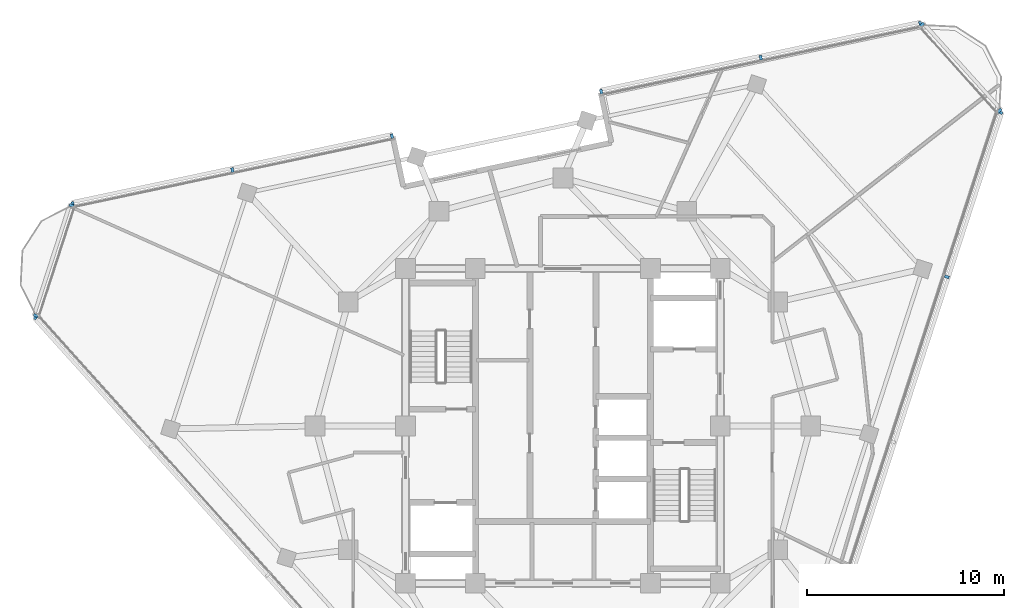
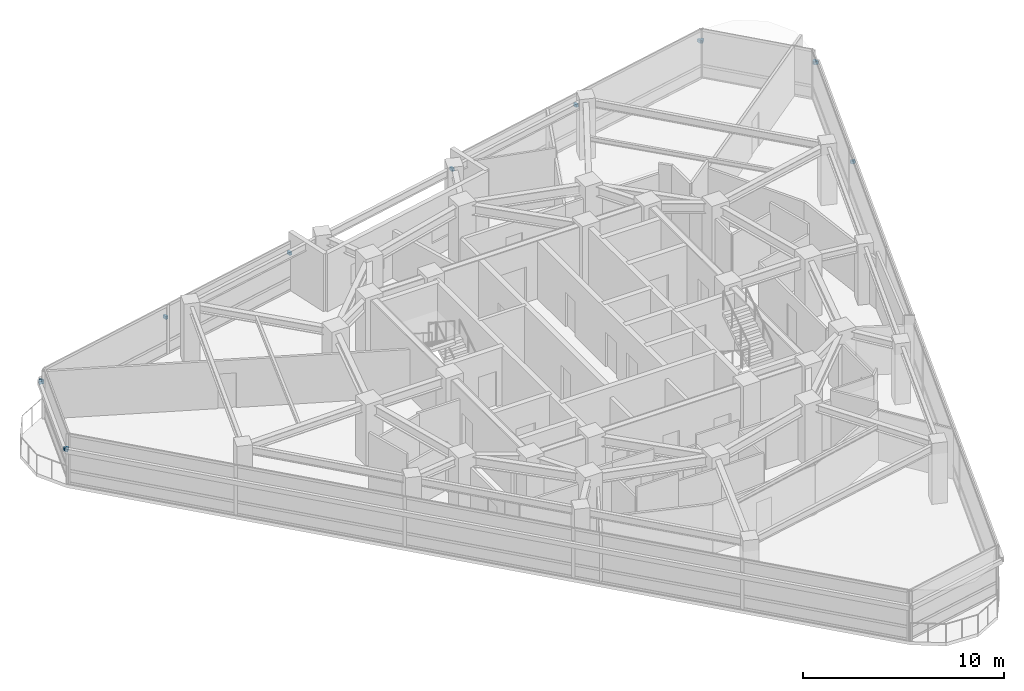
# One storey, part 11 of 15: 13 discrete accessories.
"""IFC4 building model written with IfcOpenShell, lengths in metres."""

from ifc_helpers import new_model, si_unit, direction, frame, origin, origin_2d, place, context, subcontext, project, spatial, rectangle, extrude, material, type_object, element, save


model = new_model("IFC4")

# Units and contexts
model_context = context("Model", 3, precision=1e-05, world=origin(), true_north=direction((0.0, 1.0)))
body_context = subcontext(model_context, "Body", "Model", "MODEL_VIEW")
ifc_project = project(units=[si_unit("LENGTHUNIT", "METRE"), si_unit("AREAUNIT", "SQUARE_METRE"), si_unit("VOLUMEUNIT", "CUBIC_METRE"), si_unit("PLANEANGLEUNIT", "RADIAN"), si_unit("MASSUNIT", "GRAM", prefix="KILO")], contexts=[model_context])

# Site, building, storey
site_placement = place(None, origin())
site = spatial("IfcSite", under=ifc_project, at=site_placement, CompositionType="ELEMENT")
building_placement = place(site_placement, origin())
building = spatial("IfcBuilding", under=site, at=building_placement, Name="Terralouvre Media Tower", CompositionType="ELEMENT")
storey_placement = place(building_placement, frame((0.0, 0.0, 298.0)))
storey = spatial("IfcBuildingStorey", under=building, at=storey_placement, Name="L77", CompositionType="ELEMENT", Elevation=298.0)

# Discrete accessories
ifc_material = material(Name="Anodised extruded aluminium 6063-T6", Category="aluminium")
discrete_accessory_type = type_object("IfcDiscreteAccessoryType", Name="Mullion Stand-Off Baguette Fixing Bracket BK-01", PredefinedType="BRACKET", material=ifc_material)
for number, where, z_axis, x_axis, name in (
    (1, (19.5126953125, 7.5771484375, 2.07421875), (0.0, 0.0, 1.0), (0.309017021946, 0.951056507337, 0.0), "CW-L77-F0 Baguette Outrigger Bracket 1.05"),
    (2, (22.22802734375, 15.93359375, 2.07421875), (0.0, 0.0, 1.0), (0.309017021946, 0.951056507337, 0.0), "CW-L77-F0 Baguette Outrigger Bracket 1.06"),
    (3, (18.169677734375, 20.440673828125, 2.07421875), (0.0, 0.0, 1.0), (-0.978147588229, -0.207911749648, 0.0), "CW-L77-F1L Baguette Outrigger Bracket 1.01"),
    (4, (10.058349609375, 18.716552734375, 2.07421875), (0.0, 0.0, 1.0), (-0.978147588229, -0.207911749648, 0.0), "CW-L77-F1L Baguette Outrigger Bracket 1.02"),
    (5, (1.947021484375, 16.992431640625, 2.07421875), (0.0, 0.0, 1.0), (-0.978147588229, -0.207911749648, 0.0), "CW-L77-F1L Baguette Outrigger Bracket 1.03"),
    (6, (-8.690185546875, 14.7314453125, 2.07421875), (0.0, 0.0, 1.0), (-0.978147684351, -0.20791129743, 0.0), "CW-L77-F1R Baguette Outrigger Bracket 1.01"),
    (7, (-16.801513671875, 13.00732421875, 2.07421875), (0.0, 0.0, 1.0), (-0.978147684351, -0.20791129743, 0.0), "CW-L77-F1R Baguette Outrigger Bracket 1.02"),
    (8, (-24.912841796875, 11.283203125, 2.07421875), (0.0, 0.0, 1.0), (-0.978147684351, -0.20791129743, 0.0), "CW-L77-F1R Baguette Outrigger Bracket 1.03"),
    (9, (-26.787109375, 5.51513671875, 2.07421875), (0.0, 0.0, 1.0), (0.669130573531, -0.743144855036, 0.0), "CW-L77-F2 Baguette Outrigger Bracket 1.01"),
    (10, (22.19140625, 16.022705078125, 2.07421875), (0.0, 0.0, 1.0), (-0.669130231192, 0.743145163279, 0.0), "CW-L77-C1 Baguette Outrigger Bracket 1.01"),
    (11, (18.254638671875, 20.39501953125, 2.07421875), (0.0, 0.0, 1.0), (-0.669130231192, 0.743145163279, 0.0), "CW-L77-C1 Baguette Outrigger Bracket 1.02"),
    (12, (-24.9716796875, 11.206787109375, 2.07421875), (0.0, 0.0, 1.0), (-0.30901654693, -0.951056661679, 0.0), "CW-L77-C2 Baguette Outrigger Bracket 1.01"),
    (13, (-26.789794921875, 5.611572265625, 2.07421875), (0.0, 0.0, 1.0), (-0.30901654693, -0.951056661679, 0.0), "CW-L77-C2 Baguette Outrigger Bracket 1.02"),
):
    element("IfcDiscreteAccessory", number, at=place(storey_placement, frame(where, z_axis=z_axis, x_axis=x_axis)), inside=storey, type_object=discrete_accessory_type, Name=name, PredefinedType="BRACKET", context=body_context, shape_type="SweptSolid", body=[
        extrude(rectangle(XDim=0.139892578125, YDim=0.239990234375, at=origin_2d()), origin(), (0.0, 0.0, 1.0), 0.179931640625),
    ])

save(model, "model.ifc")
